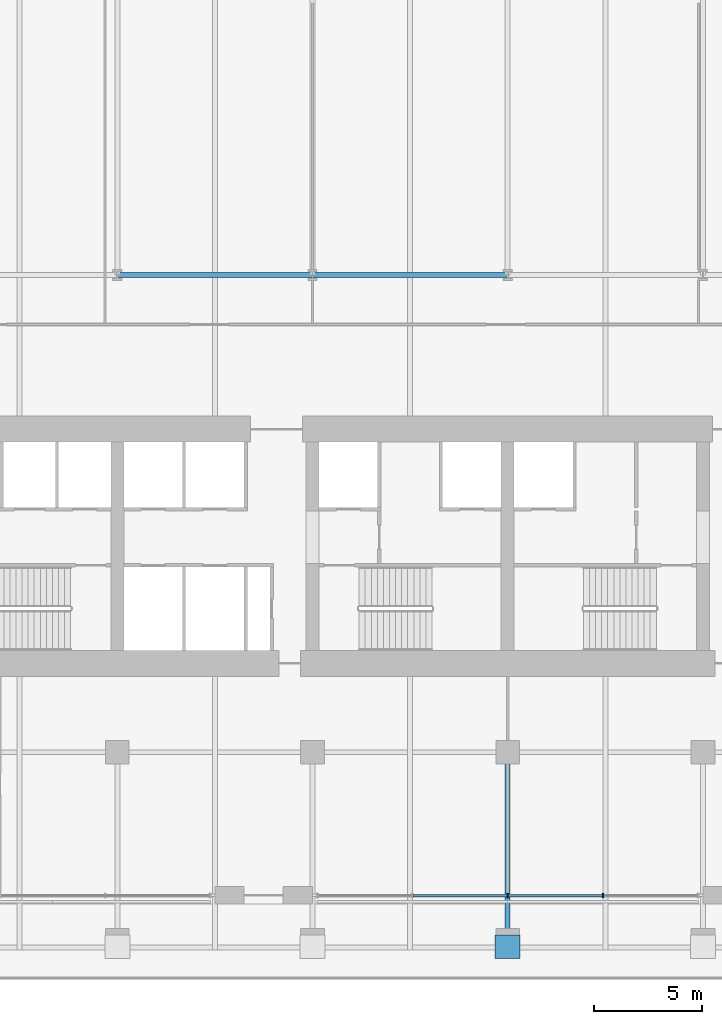
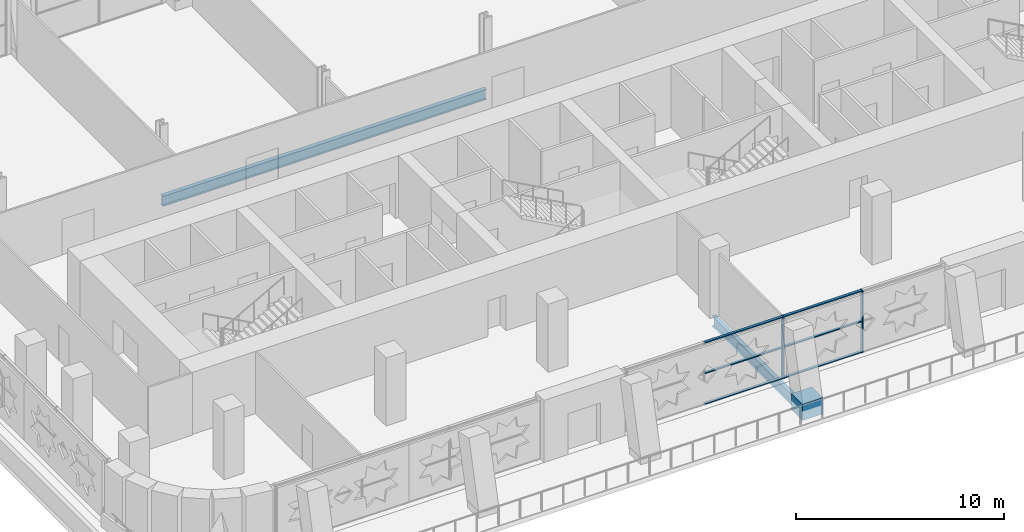
# One storey, part 5 of 26: 8 members, 3 beams, 1 element without a shape of its own.
"""IFC4 building model written with IfcOpenShell, lengths in metres."""

from ifc_helpers import new_model, si_unit, direction, frame, origin, origin_2d, place, context, subcontext, project, spatial, rectangle, i_section, extrude, material, material_profile, profile_set, type_object, element, aggregate, save


model = new_model("IFC4")

# Units and contexts
model_context = context("Model", 3, precision=1e-05, world=origin(), true_north=direction((0.0, 1.0)))
body_context = subcontext(model_context, "Body", "Model", "MODEL_VIEW")
ifc_project = project(units=[si_unit("LENGTHUNIT", "METRE"), si_unit("AREAUNIT", "SQUARE_METRE"), si_unit("VOLUMEUNIT", "CUBIC_METRE"), si_unit("PLANEANGLEUNIT", "RADIAN"), si_unit("MASSUNIT", "GRAM", prefix="KILO")], contexts=[model_context])

# Site, building, storey
site_placement = place(None, origin())
site = spatial("IfcSite", under=ifc_project, at=site_placement, CompositionType="ELEMENT")
building_placement = place(site_placement, origin())
building = spatial("IfcBuilding", under=site, at=building_placement, Name="Zellij Exchange Tower", CompositionType="ELEMENT")
storey_placement = place(building_placement, frame((0.0, 0.0, 100.5)))
storey = spatial("IfcBuildingStorey", under=building, at=storey_placement, Name="L21", CompositionType="ELEMENT", Elevation=100.5)

# Curtain wall, members
ifc_material_1 = material(Name="Aluminium frame, clear insulating glass", Category="aluminium")
curtain_wall_type = type_object("IfcCurtainWallType", Name="ENV-CW6 Sky-lobby glazing", PredefinedType="NOTDEFINED", material=ifc_material_1)
curtain_wall_placement = place(storey_placement, origin())
curtain_wall = element("IfcCurtainWall", 1, at=curtain_wall_placement, inside=storey, type_object=curtain_wall_type, Name="cw.L21.00c", PredefinedType="NOTDEFINED")
ifc_material_2 = material(Name="Aluminium", Category="aluminium")
ifc_material_profile_1 = material_profile(ifc_material_2, rectangle(XDim=0.06005859375, YDim=0.199951171875, at=origin_2d()), Name="AL 60x200")
ifc_profile_set_1 = profile_set([ifc_material_profile_1], Name="Aluminium")
member_type_1 = type_object("IfcMemberType", Name="ENV-CW6M Mullion 60x200", PredefinedType="MULLION", material=ifc_profile_set_1)
member_1_placement = place(storey_placement, frame((0.0, -24.10009765625, 0.0), z_axis=(0.0, 0.0, 1.0), x_axis=(1.0, 0.0, 0.0)))
member_1 = element("IfcMember", 2, at=member_1_placement, type_object=member_type_1, Name="CW6 mullion 3", PredefinedType="MULLION", context=body_context, shape_type="SweptSolid", body=[
    extrude(rectangle(XDim=0.06005859375, YDim=0.199951171875, at=origin_2d()), origin(), (0.0, 0.0, 1.0), 3.64990234375),
])
member_2_placement = place(storey_placement, frame((4.39990234375, -24.10009765625, 0.0), z_axis=(0.0, 0.0, 1.0), x_axis=(1.0, 0.0, 0.0)))
member_2 = element("IfcMember", 3, at=member_2_placement, type_object=member_type_1, Name="CW6 mullion 4", PredefinedType="MULLION", context=body_context, shape_type="SweptSolid", body=[
    extrude(rectangle(XDim=0.06005859375, YDim=0.199951171875, at=origin_2d()), origin(), (0.0, 0.0, 1.0), 3.64990234375),
])
ifc_material_profile_2 = material_profile(ifc_material_2, rectangle(XDim=0.139892578125, YDim=0.06005859375, at=origin_2d()), Name="AL 140x60")
ifc_profile_set_2 = profile_set([ifc_material_profile_2], Name="Aluminium")
member_type_2 = type_object("IfcMemberType", Name="ENV-CW6T Transom 140x60", PredefinedType="USERDEFINED", material=ifc_profile_set_2)
member_3_placement = place(storey_placement, frame((-4.3701171875, -24.10009765625, 0.030029296875), z_axis=(1.0, 0.0, 0.0), x_axis=(0.0, 1.0, 0.0)))
member_3 = element("IfcMember", 4, at=member_3_placement, type_object=member_type_2, Name="CW6 transom 2.1", ObjectType="TRANSOM", PredefinedType="USERDEFINED", context=body_context, shape_type="SweptSolid", body=[
    extrude(rectangle(XDim=0.139892578125, YDim=0.06005859375, at=origin_2d()), origin(), (0.0, 0.0, 1.0), 4.340087890625),
])
member_4_placement = place(storey_placement, frame((-4.3701171875, -24.10009765625, 1.824951171875), z_axis=(1.0, 0.0, 0.0), x_axis=(0.0, 1.0, 0.0)))
member_4 = element("IfcMember", 5, at=member_4_placement, type_object=member_type_2, Name="CW6 transom 2.2", ObjectType="TRANSOM", PredefinedType="USERDEFINED", context=body_context, shape_type="SweptSolid", body=[
    extrude(rectangle(XDim=0.139892578125, YDim=0.06005859375, at=origin_2d()), origin(), (0.0, 0.0, 1.0), 4.340087890625),
])
member_5_placement = place(storey_placement, frame((-4.3701171875, -24.10009765625, 3.6201171875), z_axis=(1.0, 0.0, 0.0), x_axis=(0.0, 1.0, 0.0)))
member_5 = element("IfcMember", 6, at=member_5_placement, type_object=member_type_2, Name="CW6 transom 2.3", ObjectType="TRANSOM", PredefinedType="USERDEFINED", context=body_context, shape_type="SweptSolid", body=[
    extrude(rectangle(XDim=0.139892578125, YDim=0.06005859375, at=origin_2d()), origin(), (0.0, 0.0, 1.0), 4.340087890625),
])
member_6_placement = place(storey_placement, frame((0.030029296875, -24.10009765625, 0.030029296875), z_axis=(1.0, 0.0, 0.0), x_axis=(0.0, 1.0, 0.0)))
member_6 = element("IfcMember", 7, at=member_6_placement, type_object=member_type_2, Name="CW6 transom 3.1", ObjectType="TRANSOM", PredefinedType="USERDEFINED", context=body_context, shape_type="SweptSolid", body=[
    extrude(rectangle(XDim=0.139892578125, YDim=0.06005859375, at=origin_2d()), origin(), (0.0, 0.0, 1.0), 4.340087890625),
])
member_7_placement = place(storey_placement, frame((0.030029296875, -24.10009765625, 1.824951171875), z_axis=(1.0, 0.0, 0.0), x_axis=(0.0, 1.0, 0.0)))
member_7 = element("IfcMember", 8, at=member_7_placement, type_object=member_type_2, Name="CW6 transom 3.2", ObjectType="TRANSOM", PredefinedType="USERDEFINED", context=body_context, shape_type="SweptSolid", body=[
    extrude(rectangle(XDim=0.139892578125, YDim=0.06005859375, at=origin_2d()), origin(), (0.0, 0.0, 1.0), 4.340087890625),
])
member_8_placement = place(storey_placement, frame((0.030029296875, -24.10009765625, 3.6201171875), z_axis=(1.0, 0.0, 0.0), x_axis=(0.0, 1.0, 0.0)))
member_8 = element("IfcMember", 9, at=member_8_placement, type_object=member_type_2, Name="CW6 transom 3.3", ObjectType="TRANSOM", PredefinedType="USERDEFINED", context=body_context, shape_type="SweptSolid", body=[
    extrude(rectangle(XDim=0.139892578125, YDim=0.06005859375, at=origin_2d()), origin(), (0.0, 0.0, 1.0), 4.340087890625),
])
aggregate(curtain_wall, [member_1, member_2, member_3, member_4, member_5, member_6, member_7, member_8])

# Beams
ifc_material_3 = material(Name="Structural steel ASTM A992 Gr 50", Category="steel")
ifc_material_profile_3 = material_profile(ifc_material_3, i_section(OverallWidth=0.22900390625, OverallDepth=0.612060546875, WebThickness=0.011962890625, FlangeThickness=0.01953125, at=origin_2d()), Name="W24x84")
ifc_profile_set_3 = profile_set([ifc_material_profile_3], Name="Structural steel ASTM A992 Gr 50")
beam_type_1 = type_object("IfcBeamType", Name="STR-GIRDER W24x84", PredefinedType="BEAM", material=ifc_profile_set_3)
beam_1_placement = place(storey_placement, frame((-18.0, 4.5, -0.606201171875), z_axis=(1.0, 0.0, 0.0), x_axis=(0.0, 1.0, 0.0)))
element("IfcBeam", 10, at=beam_1_placement, inside=storey, type_object=beam_type_1, Name="G4", PredefinedType="BEAM", context=body_context, shape_type="SweptSolid", body=[
    extrude(i_section(OverallWidth=0.22900390625, OverallDepth=0.612060546875, WebThickness=0.011962890625, FlangeThickness=0.01953125, at=origin_2d()), origin(), (0.0, 0.0, 1.0), 18.0),
])
beam_2_placement = place(storey_placement, frame((0.0, -26.5, -0.606201171875), z_axis=(0.0, 1.0, 0.0), x_axis=(-1.0, 0.0, 0.0)))
element("IfcBeam", 11, at=beam_2_placement, inside=storey, type_object=beam_type_1, Name="G4", PredefinedType="BEAM", context=body_context, shape_type="SweptSolid", body=[
    extrude(i_section(OverallWidth=0.22900390625, OverallDepth=0.612060546875, WebThickness=0.011962890625, FlangeThickness=0.01953125, at=origin_2d()), origin(), (0.0, 0.0, 1.0), 9.0),
])
ifc_material_4 = material(Name="Concrete C70/85", Category="concrete")
ifc_material_profile_4 = material_profile(ifc_material_4, rectangle(XDim=1.14990234375, YDim=0.949951171875, at=origin_2d()), Name="STR-KNUCKLE BLOCK RC1150x950 C70/85")
ifc_profile_set_4 = profile_set([ifc_material_profile_4], Name="Concrete C70/85")
beam_type_2 = type_object("IfcBeamType", Name="STR-KNUCKLE BLOCK RC1150x950 C70/85", PredefinedType="BEAM", material=ifc_profile_set_4)
beam_3_placement = place(storey_placement, frame((0.0, -27.000244140625, -0.074951171875), z_axis=(0.0, 1.0, 0.0), x_axis=(-1.0, 0.0, 0.0)))
element("IfcBeam", 12, at=beam_3_placement, inside=storey, type_object=beam_type_2, Name="KB5", PredefinedType="BEAM", context=body_context, shape_type="SweptSolid", body=[
    extrude(rectangle(XDim=1.14990234375, YDim=0.949951171875, at=origin_2d()), origin(), (0.0, 0.0, 1.0), 1.067138671875),
])

save(model, "model.ifc")
